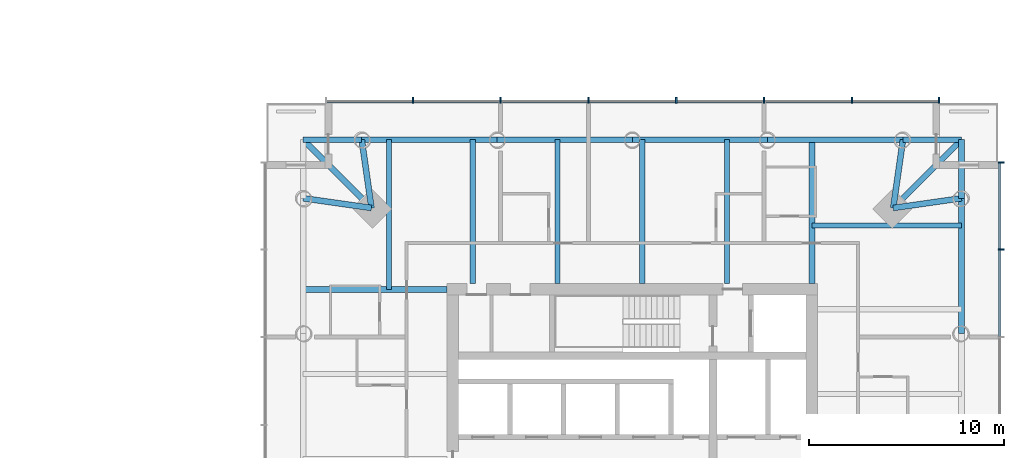
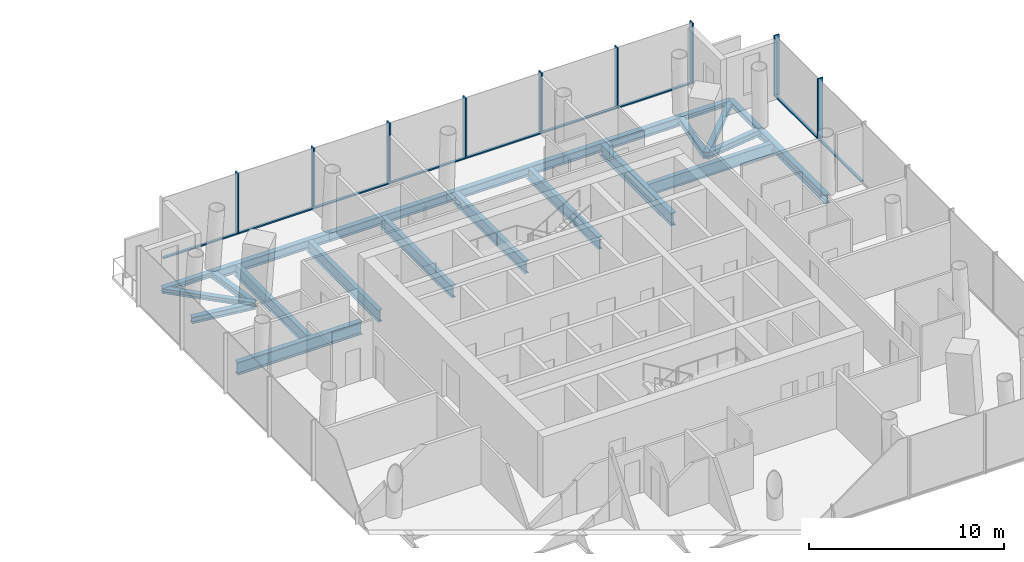
# One storey, part 5 of 18: 22 beams, 18 members, 2 elements without a shape of their own.
"""IFC4 building model written with IfcOpenShell, lengths in metres."""

from ifc_helpers import new_model, si_unit, direction, frame, origin, origin_2d, place, context, subcontext, project, spatial, rectangle, i_section, extrude, material, material_profile, profile_set, type_object, element, aggregate, save


model = new_model("IFC4")

# Units and contexts
model_context = context("Model", 3, precision=1e-05, world=origin(), true_north=direction((0.0, 1.0)))
body_context = subcontext(model_context, "Body", "Model", "MODEL_VIEW")
ifc_project = project(units=[si_unit("LENGTHUNIT", "METRE"), si_unit("AREAUNIT", "SQUARE_METRE"), si_unit("VOLUMEUNIT", "CUBIC_METRE"), si_unit("PLANEANGLEUNIT", "RADIAN"), si_unit("MASSUNIT", "GRAM", prefix="KILO")], contexts=[model_context])

# Site, building, storey
site_placement = place(None, origin())
site = spatial("IfcSite", under=ifc_project, at=site_placement, CompositionType="ELEMENT")
building_placement = place(site_placement, origin())
building = spatial("IfcBuilding", under=site, at=building_placement, Name="Ostroluk Exchange", CompositionType="ELEMENT")
storey_placement = place(building_placement, frame((0.0, 0.0, 70.39990234375)))
storey = spatial("IfcBuildingStorey", under=building, at=storey_placement, Name="L17", CompositionType="ELEMENT", Elevation=70.39990234375)

# Beams
ifc_material_1 = material(Name="Steel S355", Category="steel")
ifc_material_profile_1 = material_profile(ifc_material_1, i_section(OverallWidth=0.300048828125, OverallDepth=0.300048828125, WebThickness=0.010986328125, FlangeThickness=0.01904296875, FilletRadius=0.027099609375, at=origin_2d()), Name="HEB 300")
ifc_profile_set_1 = profile_set([ifc_material_profile_1], Name="Steel S355")
beam_type_1 = type_object("IfcBeamType", Name="Balcony beam HEB 300", PredefinedType="BEAM", material=ifc_profile_set_1)
for number, where, z_axis, x_axis, name in (
    (1, (133.87060546875, 59.87060546875, -0.349853515625), (0.0, 1.0, 0.0), (-1.0, 0.0, 0.0), "T2 east balcony beam a"),
    (2, (130.87060546875, 62.87060546875, -0.349853515625), (1.0, 0.0, 0.0), (0.0, 1.0, 0.0), "T2 east balcony beam b"),
):
    element("IfcBeam", number, at=place(storey_placement, frame(where, z_axis=z_axis, x_axis=x_axis)), inside=storey, type_object=beam_type_1, Name=name, PredefinedType="BEAM", context=body_context, shape_type="SweptSolid", body=[
        extrude(i_section(OverallWidth=0.300048828125, OverallDepth=0.300048828125, WebThickness=0.010986328125, FlangeThickness=0.01904296875, FilletRadius=0.027099609375, at=origin_2d()), origin(), (0.0, 0.0, 1.0), 3.0),
    ])
beam_1_placement = place(storey_placement, frame((130.37060546875, 59.37060546875, -0.349853515625), z_axis=(0.707106781187, 0.707106781187, 0.0), x_axis=(-0.707106781187, 0.707106781187, 0.0)))
element("IfcBeam", 3, at=beam_1_placement, inside=storey, type_object=beam_type_1, Name="T2 east balcony beam c", PredefinedType="BEAM", context=body_context, shape_type="SweptSolid", body=[
    extrude(i_section(OverallWidth=0.300048828125, OverallDepth=0.300048828125, WebThickness=0.010986328125, FlangeThickness=0.01904296875, FilletRadius=0.027099609375, at=origin_2d()), origin(), (0.0, 0.0, 1.0), 4.94970703125),
])
beam_2_placement = place(storey_placement, frame((103.12939453125, 62.87060546875, -0.349853515625), z_axis=(-1.0, 0.0, 0.0), x_axis=(0.0, -1.0, 0.0)))
element("IfcBeam", 4, at=beam_2_placement, inside=storey, type_object=beam_type_1, Name="T2 north balcony beam a", PredefinedType="BEAM", context=body_context, shape_type="SweptSolid", body=[
    extrude(i_section(OverallWidth=0.300048828125, OverallDepth=0.300048828125, WebThickness=0.010986328125, FlangeThickness=0.01904296875, FilletRadius=0.027099609375, at=origin_2d()), origin(), (0.0, 0.0, 1.0), 3.0),
])
beam_3_placement = place(storey_placement, frame((103.62939453125, 59.37060546875, -0.349853515625), z_axis=(-0.707106781187, 0.707106781187, 0.0), x_axis=(-0.707106781187, -0.707106781187, 0.0)))
element("IfcBeam", 5, at=beam_3_placement, inside=storey, type_object=beam_type_1, Name="T2 north balcony beam c", PredefinedType="BEAM", context=body_context, shape_type="SweptSolid", body=[
    extrude(i_section(OverallWidth=0.300048828125, OverallDepth=0.300048828125, WebThickness=0.010986328125, FlangeThickness=0.01904296875, FilletRadius=0.027099609375, at=origin_2d()), origin(), (0.0, 0.0, 1.0), 4.94970703125),
])
ifc_material_2 = material(Name="Steel S355", Category="steel")
ifc_material_profile_2 = material_profile(ifc_material_2, i_section(OverallWidth=0.300048828125, OverallDepth=0.39990234375, WebThickness=0.013427734375, FlangeThickness=0.02392578125, FilletRadius=0.027099609375, at=origin_2d()), Name="HEB 400")
ifc_profile_set_2 = profile_set([ifc_material_profile_2], Name="Steel S355")
beam_type_2 = type_object("IfcBeamType", Name="Corner edge beam HEB 400", PredefinedType="SPANDREL", material=ifc_profile_set_2)
for number, where, z_axis, x_axis, name in (
    (6, (130.37060546875, 59.37060546875, -0.39990234375), (0.989949493661, 0.141421356237, 0.0), (-0.141421356237, 0.989949493661, 0.0), "T2 east corner edge beam a"),
    (7, (130.37060546875, 59.37060546875, -0.39990234375), (0.141421356237, 0.989949493661, 0.0), (-0.989949493661, 0.141421356237, 0.0), "T2 east corner edge beam b"),
    (8, (103.62939453125, 59.37060546875, -0.39990234375), (-0.141421356237, 0.989949493661, 0.0), (-0.989949493661, -0.141421356237, 0.0), "T2 north corner edge beam a"),
    (9, (103.62939453125, 59.37060546875, -0.39990234375), (-0.989949493661, 0.141421356237, 0.0), (-0.141421356237, -0.989949493661, 0.0), "T2 north corner edge beam b"),
):
    element("IfcBeam", number, at=place(storey_placement, frame(where, z_axis=z_axis, x_axis=x_axis)), inside=storey, type_object=beam_type_2, Name=name, PredefinedType="SPANDREL", context=body_context, shape_type="SweptSolid", body=[
        extrude(i_section(OverallWidth=0.300048828125, OverallDepth=0.39990234375, WebThickness=0.013427734375, FlangeThickness=0.02392578125, FilletRadius=0.027099609375, at=origin_2d()), origin(), (0.0, 0.0, 1.0), 3.53564453125),
    ])
ifc_material_3 = material(Name="Steel S355", Category="steel")
ifc_material_profile_3 = material_profile(ifc_material_3, i_section(OverallWidth=0.264892578125, OverallDepth=0.7529296875, WebThickness=0.01318359375, FlangeThickness=0.01708984375, FilletRadius=0.01708984375, at=origin_2d()), Name="IPE 750x147")
ifc_profile_set_3 = profile_set([ifc_material_profile_3], Name="Steel S355")
beam_type_3 = type_object("IfcBeamType", Name="Floor beam IPE 750x147", PredefinedType="BEAM", material=ifc_profile_set_3)
beam_4_placement = place(storey_placement, frame((126.199951171875, 58.470703125, -0.576416015625), z_axis=(1.0, 0.0, 0.0), x_axis=(0.0, 1.0, 0.0)))
element("IfcBeam", 10, at=beam_4_placement, inside=storey, type_object=beam_type_3, Name="T2 east floor beam 5", PredefinedType="BEAM", context=body_context, shape_type="SweptSolid", body=[
    extrude(i_section(OverallWidth=0.264892578125, OverallDepth=0.7529296875, WebThickness=0.01318359375, FlangeThickness=0.01708984375, FilletRadius=0.01708984375, at=origin_2d()), origin(), (0.0, 0.0, 1.0), 7.670654296875),
])
for number, where, z_axis, x_axis, name in (
    (11, (121.85498046875, 55.5, -0.576416015625), (0.0, 1.0, 0.0), (-1.0, 0.0, 0.0), "T2 north floor beam 1"),
    (12, (117.509765625, 55.5, -0.576416015625), (0.0, 1.0, 0.0), (-1.0, 0.0, 0.0), "T2 north floor beam 2"),
    (13, (113.16455078125, 55.5, -0.576416015625), (0.0, 1.0, 0.0), (-1.0, 0.0, 0.0), "T2 north floor beam 3"),
    (14, (108.819580078125, 55.5, -0.576416015625), (0.0, 1.0, 0.0), (-1.0, 0.0, 0.0), "T2 north floor beam 4"),
):
    element("IfcBeam", number, at=place(storey_placement, frame(where, z_axis=z_axis, x_axis=x_axis)), inside=storey, type_object=beam_type_3, Name=name, PredefinedType="BEAM", context=body_context, shape_type="SweptSolid", body=[
        extrude(i_section(OverallWidth=0.264892578125, OverallDepth=0.7529296875, WebThickness=0.01318359375, FlangeThickness=0.01708984375, FilletRadius=0.01708984375, at=origin_2d()), origin(), (0.0, 0.0, 1.0), 7.37060546875),
    ])
beam_5_placement = place(storey_placement, frame((104.529296875, 55.199951171875, -0.576416015625), z_axis=(0.0, 1.0, 0.0), x_axis=(-1.0, 0.0, 0.0)))
element("IfcBeam", 15, at=beam_5_placement, inside=storey, type_object=beam_type_3, Name="T2 north floor beam 5", PredefinedType="BEAM", context=body_context, shape_type="SweptSolid", body=[
    extrude(i_section(OverallWidth=0.264892578125, OverallDepth=0.7529296875, WebThickness=0.01318359375, FlangeThickness=0.01708984375, FilletRadius=0.01708984375, at=origin_2d()), origin(), (0.0, 0.0, 1.0), 7.670654296875),
])
ifc_material_4 = material(Name="Steel S355", Category="steel")
ifc_material_profile_4 = material_profile(ifc_material_4, i_section(OverallWidth=0.300048828125, OverallDepth=0.800048828125, WebThickness=0.017578125, FlangeThickness=0.032958984375, FilletRadius=0.030029296875, at=origin_2d()), Name="HEB 800")
ifc_profile_set_4 = profile_set([ifc_material_profile_4], Name="Steel S355")
beam_type_4 = type_object("IfcBeamType", Name="Girder HEB 800", PredefinedType="BEAM", material=ifc_profile_set_4)
for number, where, z_axis, x_axis, name in (
    (16, (126.199951171875, 55.5, -0.599853515625), (0.0, 1.0, 0.0), (-1.0, 0.0, 0.0), "T2 east girder"),
    (17, (107.5, 55.199951171875, -0.599853515625), (-1.0, 0.0, 0.0), (0.0, -1.0, 0.0), "T2 north girder"),
):
    element("IfcBeam", number, at=place(storey_placement, frame(where, z_axis=z_axis, x_axis=x_axis)), inside=storey, type_object=beam_type_4, Name=name, PredefinedType="BEAM", context=body_context, shape_type="SweptSolid", body=[
        extrude(i_section(OverallWidth=0.300048828125, OverallDepth=0.800048828125, WebThickness=0.017578125, FlangeThickness=0.032958984375, FilletRadius=0.030029296875, at=origin_2d()), origin(), (0.0, 0.0, 1.0), 7.37060546875),
    ])
ifc_material_5 = material(Name="Steel S355", Category="steel")
ifc_material_profile_5 = material_profile(ifc_material_5, i_section(OverallWidth=0.300048828125, OverallDepth=0.550048828125, WebThickness=0.014892578125, FlangeThickness=0.029052734375, FilletRadius=0.027099609375, at=origin_2d()), Name="HEB 550")
ifc_profile_set_5 = profile_set([ifc_material_profile_5], Name="Steel S355")
beam_type_5 = type_object("IfcBeamType", Name="Moment-connected edge beam HEB 550", PredefinedType="SPANDREL", material=ifc_profile_set_5)
for number, where, z_axis, x_axis, name in (
    (18, (133.87060546875, 52.935302734375, -0.474853515625), (0.0, 1.0, 0.0), (-1.0, 0.0, 0.0), "T2 east edge beam 4"),
    (19, (130.87060546875, 62.87060546875, -0.474853515625), (-1.0, 0.0, 0.0), (0.0, -1.0, 0.0), "T2 north edge beam 1"),
    (20, (123.935302734375, 62.87060546875, -0.474853515625), (-1.0, 0.0, 0.0), (0.0, -1.0, 0.0), "T2 north edge beam 2"),
    (21, (117.0, 62.87060546875, -0.474853515625), (-1.0, 0.0, 0.0), (0.0, -1.0, 0.0), "T2 north edge beam 3"),
    (22, (110.064697265625, 62.87060546875, -0.474853515625), (-1.0, 0.0, 0.0), (0.0, -1.0, 0.0), "T2 north edge beam 4"),
):
    element("IfcBeam", number, at=place(storey_placement, frame(where, z_axis=z_axis, x_axis=x_axis)), inside=storey, type_object=beam_type_5, Name=name, PredefinedType="SPANDREL", context=body_context, shape_type="SweptSolid", body=[
        extrude(i_section(OverallWidth=0.300048828125, OverallDepth=0.550048828125, WebThickness=0.014892578125, FlangeThickness=0.029052734375, FilletRadius=0.027099609375, at=origin_2d()), origin(), (0.0, 0.0, 1.0), 6.935302734375),
    ])

# Curtain wall, members
ifc_material_6 = material(Name="Laminated clear glass", Category="glass")
curtain_wall_type = type_object("IfcCurtainWallType", Name="Hotel guest floor facade", PredefinedType="USERDEFINED", material=ifc_material_6)
curtain_wall_1_placement = place(storey_placement, origin())
curtain_wall_1 = element("IfcCurtainWall", 23, at=curtain_wall_1_placement, inside=storey, type_object=curtain_wall_type, Name="Hotel tower east facade L17", ObjectType="UNITISED CURTAIN WALL", PredefinedType="USERDEFINED")
ifc_material_7 = material(Name="Aluminium mullion", Category="aluminium")
ifc_material_profile_6 = material_profile(ifc_material_7, rectangle(XDim=0.14990234375, YDim=0.080078125, at=origin_2d()), Name="Sill transom 80 x 150")
ifc_profile_set_6 = profile_set([ifc_material_profile_6], Name="Aluminium mullion")
member_type_1 = type_object("IfcMemberType", Name="Sill transom 80 x 150", PredefinedType="USERDEFINED", material=ifc_profile_set_6)
member_1_placement = place(storey_placement, frame((135.824951171875, 52.7900390625, 0.0400390625), z_axis=(0.0, 1.0, 0.0), x_axis=(-1.0, 0.0, 0.0)))
member_1 = element("IfcMember", 24, at=member_1_placement, type_object=member_type_1, Name="CW-H1 transom 6.1", ObjectType="TRANSOM", PredefinedType="USERDEFINED", context=body_context, shape_type="SweptSolid", body=[
    extrude(rectangle(XDim=0.14990234375, YDim=0.080078125, at=origin_2d()), origin(), (0.0, 0.0, 1.0), 4.419921875),
])
member_2_placement = place(storey_placement, frame((135.824951171875, 57.2900390625, 0.0400390625), z_axis=(0.0, 1.0, 0.0), x_axis=(-1.0, 0.0, 0.0)))
member_2 = element("IfcMember", 25, at=member_2_placement, type_object=member_type_1, Name="CW-H1 transom 7.1", ObjectType="TRANSOM", PredefinedType="USERDEFINED", context=body_context, shape_type="SweptSolid", body=[
    extrude(rectangle(XDim=0.14990234375, YDim=0.080078125, at=origin_2d()), origin(), (0.0, 0.0, 1.0), 4.3798828125),
])

curtain_wall_2_placement = place(storey_placement, origin())
curtain_wall_2 = element("IfcCurtainWall", 26, at=curtain_wall_2_placement, inside=storey, type_object=curtain_wall_type, Name="Hotel tower north facade L17", ObjectType="UNITISED CURTAIN WALL", PredefinedType="USERDEFINED")
member_3_placement = place(storey_placement, frame((132.669921875, 64.824951171875, 0.0400390625), z_axis=(-1.0, 0.0, 0.0), x_axis=(0.0, -1.0, 0.0)))
member_3 = element("IfcMember", 27, at=member_3_placement, type_object=member_type_1, Name="CW-H1 transom 1.1", ObjectType="TRANSOM", PredefinedType="USERDEFINED", context=body_context, shape_type="SweptSolid", body=[
    extrude(rectangle(XDim=0.14990234375, YDim=0.080078125, at=origin_2d()), origin(), (0.0, 0.0, 1.0), 4.3798828125),
])
member_4_placement = place(storey_placement, frame((128.2099609375, 64.824951171875, 0.0400390625), z_axis=(-1.0, 0.0, 0.0), x_axis=(0.0, -1.0, 0.0)))
member_4 = element("IfcMember", 28, at=member_4_placement, type_object=member_type_1, Name="CW-H1 transom 2.1", ObjectType="TRANSOM", PredefinedType="USERDEFINED", context=body_context, shape_type="SweptSolid", body=[
    extrude(rectangle(XDim=0.14990234375, YDim=0.080078125, at=origin_2d()), origin(), (0.0, 0.0, 1.0), 4.419921875),
])
member_5_placement = place(storey_placement, frame((123.7099609375, 64.824951171875, 0.0400390625), z_axis=(-1.0, 0.0, 0.0), x_axis=(0.0, -1.0, 0.0)))
member_5 = element("IfcMember", 29, at=member_5_placement, type_object=member_type_1, Name="CW-H1 transom 3.1", ObjectType="TRANSOM", PredefinedType="USERDEFINED", context=body_context, shape_type="SweptSolid", body=[
    extrude(rectangle(XDim=0.14990234375, YDim=0.080078125, at=origin_2d()), origin(), (0.0, 0.0, 1.0), 4.419921875),
])
member_6_placement = place(storey_placement, frame((119.2099609375, 64.824951171875, 0.0400390625), z_axis=(-1.0, 0.0, 0.0), x_axis=(0.0, -1.0, 0.0)))
member_6 = element("IfcMember", 30, at=member_6_placement, type_object=member_type_1, Name="CW-H1 transom 4.1", ObjectType="TRANSOM", PredefinedType="USERDEFINED", context=body_context, shape_type="SweptSolid", body=[
    extrude(rectangle(XDim=0.14990234375, YDim=0.080078125, at=origin_2d()), origin(), (0.0, 0.0, 1.0), 4.419921875),
])
member_7_placement = place(storey_placement, frame((114.7099609375, 64.824951171875, 0.0400390625), z_axis=(-1.0, 0.0, 0.0), x_axis=(0.0, -1.0, 0.0)))
member_7 = element("IfcMember", 31, at=member_7_placement, type_object=member_type_1, Name="CW-H1 transom 5.1", ObjectType="TRANSOM", PredefinedType="USERDEFINED", context=body_context, shape_type="SweptSolid", body=[
    extrude(rectangle(XDim=0.14990234375, YDim=0.080078125, at=origin_2d()), origin(), (0.0, 0.0, 1.0), 4.419921875),
])
member_8_placement = place(storey_placement, frame((110.2099609375, 64.824951171875, 0.0400390625), z_axis=(-1.0, 0.0, 0.0), x_axis=(0.0, -1.0, 0.0)))
member_8 = element("IfcMember", 32, at=member_8_placement, type_object=member_type_1, Name="CW-H1 transom 6.1", ObjectType="TRANSOM", PredefinedType="USERDEFINED", context=body_context, shape_type="SweptSolid", body=[
    extrude(rectangle(XDim=0.14990234375, YDim=0.080078125, at=origin_2d()), origin(), (0.0, 0.0, 1.0), 4.419921875),
])
member_9_placement = place(storey_placement, frame((105.7099609375, 64.824951171875, 0.0400390625), z_axis=(-1.0, 0.0, 0.0), x_axis=(0.0, -1.0, 0.0)))
member_9 = element("IfcMember", 33, at=member_9_placement, type_object=member_type_1, Name="CW-H1 transom 7.1", ObjectType="TRANSOM", PredefinedType="USERDEFINED", context=body_context, shape_type="SweptSolid", body=[
    extrude(rectangle(XDim=0.14990234375, YDim=0.080078125, at=origin_2d()), origin(), (0.0, 0.0, 1.0), 4.3798828125),
])

# Member
ifc_material_8 = material(Name="Aluminium mullion with limestone facing", Category="masonry")
ifc_material_profile_7 = material_profile(ifc_material_8, rectangle(XDim=0.300048828125, YDim=0.080078125, at=origin_2d()), Name="Tracery mullion 80 x 300")
ifc_profile_set_7 = profile_set([ifc_material_profile_7], Name="Aluminium mullion with limestone facing")
member_type_2 = type_object("IfcMemberType", Name="Tracery mullion 80 x 300", PredefinedType="MULLION", material=ifc_profile_set_7)
member_10_placement = place(storey_placement, frame((135.89990234375, 57.25, 0.0), z_axis=(0.0, 0.0, 1.0), x_axis=(-1.0, 0.0, 0.0)))
member_10 = element("IfcMember", 34, at=member_10_placement, type_object=member_type_2, Name="CW-H1 mullion 7", PredefinedType="MULLION", context=body_context, shape_type="SweptSolid", body=[
    extrude(rectangle(XDim=0.300048828125, YDim=0.080078125, at=origin_2d()), origin(), (0.0, 0.0, 1.0), 3.800048828125),
])

member_11_placement = place(storey_placement, frame((135.89990234375, 61.7099609375, 0.0), z_axis=(0.0, 0.0, 1.0), x_axis=(-1.0, 0.0, 0.0)))
member_11 = element("IfcMember", 35, at=member_11_placement, type_object=member_type_2, Name="CW-H1 mullion 8", PredefinedType="MULLION", context=body_context, shape_type="SweptSolid", body=[
    extrude(rectangle(XDim=0.300048828125, YDim=0.080078125, at=origin_2d()), origin(), (0.0, 0.0, 1.0), 3.800048828125),
])

aggregate(curtain_wall_1, [member_10, member_11, member_1, member_2])

member_12_placement = place(storey_placement, frame((132.7099609375, 64.89990234375, 0.0), z_axis=(0.0, 0.0, 1.0), x_axis=(0.0, -1.0, 0.0)))
member_12 = element("IfcMember", 36, at=member_12_placement, type_object=member_type_2, Name="CW-H1 mullion 1", PredefinedType="MULLION", context=body_context, shape_type="SweptSolid", body=[
    extrude(rectangle(XDim=0.300048828125, YDim=0.080078125, at=origin_2d()), origin(), (0.0, 0.0, 1.0), 3.800048828125),
])

member_13_placement = place(storey_placement, frame((128.25, 64.89990234375, 0.0), z_axis=(0.0, 0.0, 1.0), x_axis=(0.0, -1.0, 0.0)))
member_13 = element("IfcMember", 37, at=member_13_placement, type_object=member_type_2, Name="CW-H1 mullion 2", PredefinedType="MULLION", context=body_context, shape_type="SweptSolid", body=[
    extrude(rectangle(XDim=0.300048828125, YDim=0.080078125, at=origin_2d()), origin(), (0.0, 0.0, 1.0), 3.800048828125),
])

member_14_placement = place(storey_placement, frame((123.75, 64.89990234375, 0.0), z_axis=(0.0, 0.0, 1.0), x_axis=(0.0, -1.0, 0.0)))
member_14 = element("IfcMember", 38, at=member_14_placement, type_object=member_type_2, Name="CW-H1 mullion 3", PredefinedType="MULLION", context=body_context, shape_type="SweptSolid", body=[
    extrude(rectangle(XDim=0.300048828125, YDim=0.080078125, at=origin_2d()), origin(), (0.0, 0.0, 1.0), 3.800048828125),
])

member_15_placement = place(storey_placement, frame((119.25, 64.89990234375, 0.0), z_axis=(0.0, 0.0, 1.0), x_axis=(0.0, -1.0, 0.0)))
member_15 = element("IfcMember", 39, at=member_15_placement, type_object=member_type_2, Name="CW-H1 mullion 4", PredefinedType="MULLION", context=body_context, shape_type="SweptSolid", body=[
    extrude(rectangle(XDim=0.300048828125, YDim=0.080078125, at=origin_2d()), origin(), (0.0, 0.0, 1.0), 3.800048828125),
])

member_16_placement = place(storey_placement, frame((114.75, 64.89990234375, 0.0), z_axis=(0.0, 0.0, 1.0), x_axis=(0.0, -1.0, 0.0)))
member_16 = element("IfcMember", 40, at=member_16_placement, type_object=member_type_2, Name="CW-H1 mullion 5", PredefinedType="MULLION", context=body_context, shape_type="SweptSolid", body=[
    extrude(rectangle(XDim=0.300048828125, YDim=0.080078125, at=origin_2d()), origin(), (0.0, 0.0, 1.0), 3.800048828125),
])

member_17_placement = place(storey_placement, frame((110.25, 64.89990234375, 0.0), z_axis=(0.0, 0.0, 1.0), x_axis=(0.0, -1.0, 0.0)))
member_17 = element("IfcMember", 41, at=member_17_placement, type_object=member_type_2, Name="CW-H1 mullion 6", PredefinedType="MULLION", context=body_context, shape_type="SweptSolid", body=[
    extrude(rectangle(XDim=0.300048828125, YDim=0.080078125, at=origin_2d()), origin(), (0.0, 0.0, 1.0), 3.800048828125),
])

member_18_placement = place(storey_placement, frame((105.75, 64.89990234375, 0.0), z_axis=(0.0, 0.0, 1.0), x_axis=(0.0, -1.0, 0.0)))
member_18 = element("IfcMember", 42, at=member_18_placement, type_object=member_type_2, Name="CW-H1 mullion 7", PredefinedType="MULLION", context=body_context, shape_type="SweptSolid", body=[
    extrude(rectangle(XDim=0.300048828125, YDim=0.080078125, at=origin_2d()), origin(), (0.0, 0.0, 1.0), 3.800048828125),
])

aggregate(curtain_wall_2, [member_12, member_13, member_14, member_15, member_16, member_17, member_18, member_3, member_4, member_5, member_6, member_7, member_8, member_9])

save(model, "model.ifc")
